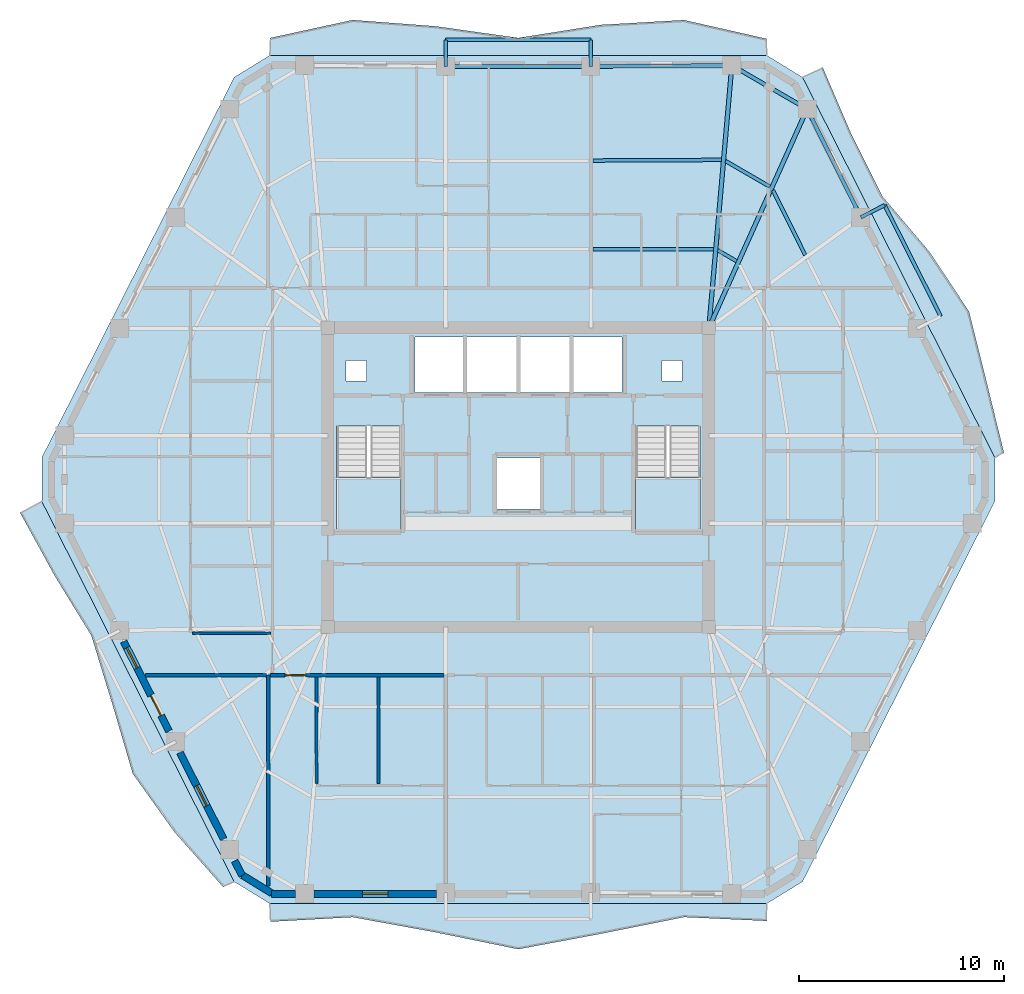
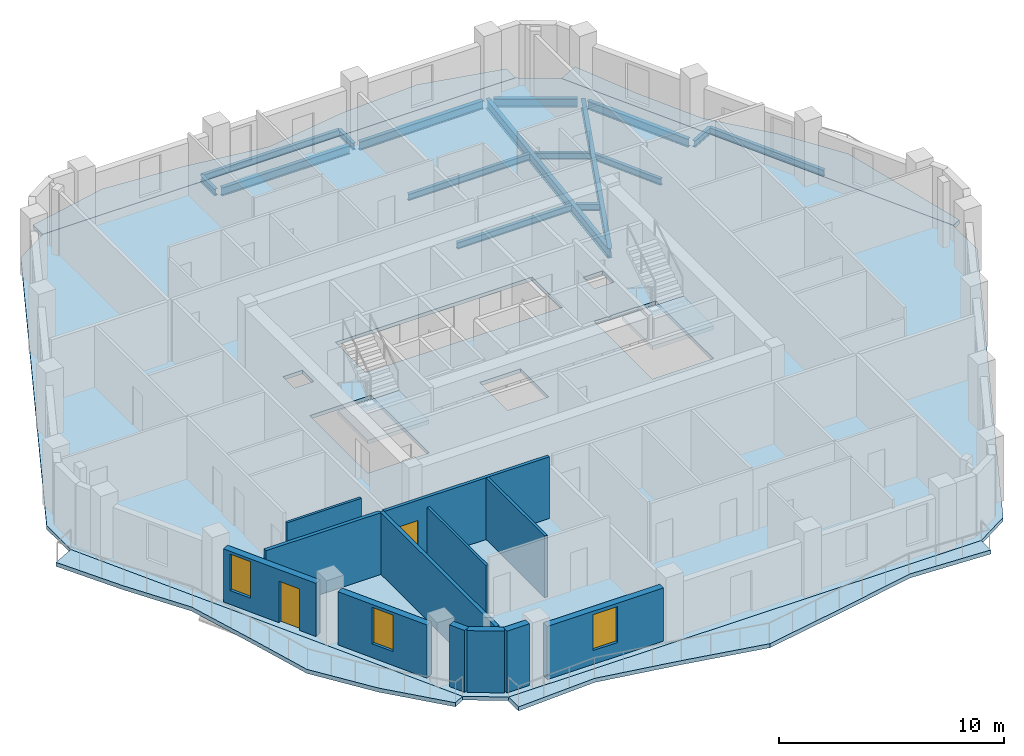
# One storey, part 3 of 11: 16 beams, 12 walls, 7 slabs, 3 windows, 2 doors, 5 openings, 2 elements without a shape of their own.
"""IFC4 building model written with IfcOpenShell, lengths in metres."""

from ifc_helpers import new_model, si_unit, direction, frame, frame_2d, origin, origin_2d, place, context, subcontext, project, spatial, polyline, rectangle, i_section, outline, extrude, material, layer, layer_set, material_profile, profile_set, type_object, element, fill, aggregate, save


model = new_model("IFC4")

# Units and contexts
model_context = context("Model", 3, precision=1e-05, world=origin(), true_north=direction((0.0, 1.0)))
body_context = subcontext(model_context, "Body", "Model", "MODEL_VIEW")
ifc_project = project(units=[si_unit("LENGTHUNIT", "METRE"), si_unit("AREAUNIT", "SQUARE_METRE"), si_unit("VOLUMEUNIT", "CUBIC_METRE"), si_unit("PLANEANGLEUNIT", "RADIAN"), si_unit("MASSUNIT", "GRAM", prefix="KILO")], contexts=[model_context])

# Site, building, storey
site_placement = place(None, origin())
site = spatial("IfcSite", under=ifc_project, at=site_placement, CompositionType="ELEMENT")
building_placement = place(site_placement, origin())
building = spatial("IfcBuilding", under=site, at=building_placement, Name="Cinnabar Lancet Tower", CompositionType="ELEMENT")
storey_placement = place(building_placement, frame((0.0, 0.0, 179.0)))
storey = spatial("IfcBuildingStorey", under=building, at=storey_placement, Name="L47", CompositionType="ELEMENT", Elevation=179.0)

# Beams
ifc_material_1 = material(Name="Structural steel S355", Category="steel")
ifc_material_profile_1 = material_profile(ifc_material_1, i_section(OverallWidth=0.17138671875, OverallDepth=0.35498046875, WebThickness=0.00732421875, FlangeThickness=0.011474609375, FilletRadius=0.01025390625, at=origin_2d()), Name="UKB 356x171x51")
ifc_profile_set_1 = profile_set([ifc_material_profile_1], Name="Structural steel S355")
beam_type_1 = type_object("IfcBeamType", Name="STR-BM-JST-356", PredefinedType="JOIST", material=ifc_profile_set_1)
beam_1_placement = place(storey_placement, frame((46.40087890625, 36.75, -0.376953125), z_axis=(-0.444780091128, 0.895639810714, 0.0), x_axis=(-0.895639810714, -0.444780091128, 0.0)))
element("IfcBeam", 1, at=beam_1_placement, inside=storey, type_object=beam_type_1, Name="L47 Secondary Floor Joist 29", PredefinedType="JOIST", context=body_context, shape_type="SweptSolid", body=[
    extrude(i_section(OverallWidth=0.17138671875, OverallDepth=0.35498046875, WebThickness=0.00732421875, FlangeThickness=0.011474609375, FilletRadius=0.01025390625, at=origin_2d()), origin(), (0.0, 0.0, 1.0), 3.533935546875),
])
beam_2_placement = place(storey_placement, frame((44.677978515625, 40.089111328125, -0.376953125), z_axis=(-0.865267839663, 0.501309849937, 0.0), x_axis=(-0.501309849937, -0.865267839663, 0.0)))
element("IfcBeam", 2, at=beam_2_placement, inside=storey, type_object=beam_type_1, Name="L47 Secondary Floor Joist 31", PredefinedType="JOIST", context=body_context, shape_type="SweptSolid", body=[
    extrude(i_section(OverallWidth=0.17138671875, OverallDepth=0.35498046875, WebThickness=0.00732421875, FlangeThickness=0.011474609375, FilletRadius=0.01025390625, at=origin_2d()), origin(), (0.0, 0.0, 1.0), 2.497314453125),
])
beam_3_placement = place(storey_placement, frame((43.047119140625, 36.45703125, -0.376953125), z_axis=(-0.8651881055, 0.501447446998, 0.0), x_axis=(-0.501447446998, -0.8651881055, 0.0)))
element("IfcBeam", 3, at=beam_3_placement, inside=storey, type_object=beam_type_1, Name="L47 Secondary Floor Joist 32", PredefinedType="JOIST", context=body_context, shape_type="SweptSolid", body=[
    extrude(i_section(OverallWidth=0.17138671875, OverallDepth=0.35498046875, WebThickness=0.00732421875, FlangeThickness=0.011474609375, FilletRadius=0.01025390625, at=origin_2d()), origin(), (0.0, 0.0, 1.0), 1.05322265625),
])
beam_4_placement = place(storey_placement, frame((42.31201171875, 41.39794921875, -0.376953125), z_axis=(-0.999986965561, -0.005105752523, 0.0), x_axis=(0.005105752523, -0.999986965561, 0.0)))
element("IfcBeam", 4, at=beam_4_placement, inside=storey, type_object=beam_type_1, Name="L47 Secondary Floor Joist 33", PredefinedType="JOIST", context=body_context, shape_type="SweptSolid", body=[
    extrude(i_section(OverallWidth=0.17138671875, OverallDepth=0.35498046875, WebThickness=0.00732421875, FlangeThickness=0.011474609375, FilletRadius=0.01025390625, at=origin_2d()), origin(), (0.0, 0.0, 1.0), 6.263916015625),
])
beam_5_placement = place(storey_placement, frame((41.930908203125, 37.04296875, -0.376953125), z_axis=(-0.999996795667, -0.002531532393, 0.0), x_axis=(0.002531532393, -0.999996795667, 0.0)))
element("IfcBeam", 5, at=beam_5_placement, inside=storey, type_object=beam_type_1, Name="L47 Secondary Floor Joist 34", PredefinedType="JOIST", context=body_context, shape_type="SweptSolid", body=[
    extrude(i_section(OverallWidth=0.17138671875, OverallDepth=0.35498046875, WebThickness=0.00732421875, FlangeThickness=0.011474609375, FilletRadius=0.01025390625, at=origin_2d()), origin(), (0.0, 0.0, 1.0), 5.8828125),
])
ifc_material_2 = material(Name="Structural steel S355", Category="steel")
ifc_material_profile_2 = material_profile(ifc_material_2, i_section(OverallWidth=0.1904296875, OverallDepth=0.45703125, WebThickness=0.009033203125, FlangeThickness=0.014404296875, FilletRadius=0.01025390625, at=origin_2d()), Name="UKB 457x191x74")
ifc_profile_set_2 = profile_set([ifc_material_profile_2], Name="Structural steel S355")
beam_type_2 = type_object("IfcBeamType", Name="STR-BM-SPN-457", PredefinedType="SPANDREL", material=ifc_profile_set_2)
beam_6_placement = place(storey_placement, frame((49.008056640625, 38.822998046875, -0.427978515625), z_axis=(-0.444932986899, 0.895563865489, 0.0), x_axis=(-0.895563865489, -0.444932986899, 0.0)))
element("IfcBeam", 6, at=beam_6_placement, inside=storey, type_object=beam_type_2, Name="L47 Perimeter Spandrel 11", PredefinedType="SPANDREL", context=body_context, shape_type="SweptSolid", body=[
    extrude(i_section(OverallWidth=0.1904296875, OverallDepth=0.45703125, WebThickness=0.009033203125, FlangeThickness=0.014404296875, FilletRadius=0.01025390625, at=origin_2d()), origin(), (0.0, 0.0, 1.0), 5.398681640625),
])
beam_7_placement = place(storey_placement, frame((46.279052734375, 44.007080078125, -0.427978515625), z_axis=(-0.865195717586, 0.501434313016, 0.0), x_axis=(-0.501434313016, -0.865195717586, 0.0)))
element("IfcBeam", 7, at=beam_7_placement, inside=storey, type_object=beam_type_2, Name="L47 Perimeter Spandrel 12", PredefinedType="SPANDREL", context=body_context, shape_type="SweptSolid", body=[
    extrude(i_section(OverallWidth=0.1904296875, OverallDepth=0.45703125, WebThickness=0.009033203125, FlangeThickness=0.014404296875, FilletRadius=0.01025390625, at=origin_2d()), origin(), (0.0, 0.0, 1.0), 3.7470703125),
])
beam_8_placement = place(storey_placement, frame((42.571044921875, 46.009033203125, -0.427978515625), z_axis=(-0.999970401924, -0.007693846685, 0.0), x_axis=(0.007693846685, -0.999970401924, 0.0)))
element("IfcBeam", 8, at=beam_8_placement, inside=storey, type_object=beam_type_2, Name="L47 Perimeter Spandrel 13", PredefinedType="SPANDREL", context=body_context, shape_type="SweptSolid", body=[
    extrude(i_section(OverallWidth=0.1904296875, OverallDepth=0.45703125, WebThickness=0.009033203125, FlangeThickness=0.014404296875, FilletRadius=0.01025390625, at=origin_2d()), origin(), (0.0, 0.0, 1.0), 6.378173828125),
])
beam_9_placement = place(storey_placement, frame((35.693115234375, 45.9580078125, -0.427978515625), z_axis=(-1.0, 0.0, 0.0), x_axis=(0.0, -1.0, 0.0)))
element("IfcBeam", 9, at=beam_9_placement, inside=storey, type_object=beam_type_2, Name="L47 Perimeter Spandrel 14", PredefinedType="SPANDREL", context=body_context, shape_type="SweptSolid", body=[
    extrude(i_section(OverallWidth=0.1904296875, OverallDepth=0.45703125, WebThickness=0.009033203125, FlangeThickness=0.014404296875, FilletRadius=0.01025390625, at=origin_2d()), origin(), (0.0, 0.0, 1.0), 6.586181640625),
])
ifc_material_3 = material(Name="Structural steel S355", Category="steel")
ifc_material_profile_3 = material_profile(ifc_material_3, i_section(OverallWidth=0.209228515625, OverallDepth=0.533203125, WebThickness=0.010009765625, FlangeThickness=0.015625, FilletRadius=0.0126953125, at=origin_2d()), Name="UKB 533x210x92")
ifc_profile_set_3 = profile_set([ifc_material_profile_3], Name="Structural steel S355")
beam_type_3 = type_object("IfcBeamType", Name="STR-BM-UKB533-92", PredefinedType="BEAM", material=ifc_profile_set_3)
beam_10_placement = place(storey_placement, frame((46.4951171875, 43.882080078125, -0.467041015625), z_axis=(-0.409527011626, -0.912297992297, 0.0), x_axis=(0.912297992297, -0.409527011626, 0.0)))
element("IfcBeam", 10, at=beam_10_placement, inside=storey, type_object=beam_type_3, Name="L47 Primary Floor Girder 12", PredefinedType="BEAM", context=body_context, shape_type="SweptSolid", body=[
    extrude(i_section(OverallWidth=0.209228515625, OverallDepth=0.533203125, WebThickness=0.010009765625, FlangeThickness=0.015625, FilletRadius=0.0126953125, at=origin_2d()), origin(), (0.0, 0.0, 1.0), 11.708984375),
])
beam_11_placement = place(storey_placement, frame((42.821044921875, 46.010986328125, -0.467041015625), z_axis=(-0.087176841412, -0.996192851973, 0.0), x_axis=(0.996192851973, -0.087176841412, 0.0)))
element("IfcBeam", 11, at=beam_11_placement, inside=storey, type_object=beam_type_3, Name="L47 Primary Floor Girder 13", PredefinedType="BEAM", context=body_context, shape_type="SweptSolid", body=[
    extrude(i_section(OverallWidth=0.209228515625, OverallDepth=0.533203125, WebThickness=0.010009765625, FlangeThickness=0.015625, FilletRadius=0.0126953125, at=origin_2d()), origin(), (0.0, 0.0, 1.0), 12.860107421875),
])
ifc_material_4 = material(Name="Structural steel S355", Category="steel")
ifc_material_profile_4 = material_profile(ifc_material_4, i_section(OverallWidth=0.17138671875, OverallDepth=0.35498046875, WebThickness=0.00732421875, FlangeThickness=0.011474609375, FilletRadius=0.01025390625, at=origin_2d()), Name="UKB 356x171x51")
ifc_profile_set_4 = profile_set([ifc_material_profile_4], Name="Structural steel S355")
beam_type_4 = type_object("IfcBeamType", Name="STR-BM-WAV-OUT", PredefinedType="BEAM", material=ifc_profile_set_4)
for number, where, z_axis, x_axis, name in (
    (12, (49.118896484375, 38.59912109375, -0.39794921875), (0.892314203325, 0.451414845285, 0.0), (-0.451414845285, 0.892314203325, 0.0), "L47 Face 3 Balcony Outlooker B"),
    (13, (35.943115234375, 45.9580078125, -0.39794921875), (0.0, 1.0, 0.0), (-1.0, 0.0, 0.0), "L47 Face 4 Balcony Outlooker A"),
    (14, (28.85693359375, 45.9580078125, -0.39794921875), (0.0, 1.0, 0.0), (-1.0, 0.0, 0.0), "L47 Face 4 Balcony Outlooker B"),
):
    element("IfcBeam", number, at=place(storey_placement, frame(where, z_axis=z_axis, x_axis=x_axis)), inside=storey, type_object=beam_type_4, Name=name, PredefinedType="BEAM", context=body_context, shape_type="SweptSolid", body=[
        extrude(i_section(OverallWidth=0.17138671875, OverallDepth=0.35498046875, WebThickness=0.00732421875, FlangeThickness=0.011474609375, FilletRadius=0.01025390625, at=origin_2d()), origin(), (0.0, 0.0, 1.0), 1.300048828125),
    ])
ifc_material_5 = material(Name="Structural steel S355", Category="steel")
ifc_material_profile_5 = material_profile(ifc_material_5, i_section(OverallWidth=0.17138671875, OverallDepth=0.35498046875, WebThickness=0.00732421875, FlangeThickness=0.011474609375, FilletRadius=0.01025390625, at=origin_2d()), Name="UKB 356x171x51")
ifc_profile_set_5 = profile_set([ifc_material_profile_5], Name="Structural steel S355")
beam_type_5 = type_object("IfcBeamType", Name="STR-BM-WAV-TRIM", PredefinedType="SPANDREL", material=ifc_profile_set_5)
beam_12_placement = place(storey_placement, frame((53.01806640625, 33.758056640625, -0.39794921875), z_axis=(-0.450503306898, 0.892774759093, 0.0), x_axis=(-0.892774759093, -0.450503306898, 0.0)))
element("IfcBeam", 15, at=beam_12_placement, inside=storey, type_object=beam_type_5, Name="L47 Face 3 Balcony Edge Trimmer", PredefinedType="SPANDREL", context=body_context, shape_type="SweptSolid", body=[
    extrude(i_section(OverallWidth=0.17138671875, OverallDepth=0.35498046875, WebThickness=0.00732421875, FlangeThickness=0.011474609375, FilletRadius=0.01025390625, at=origin_2d()), origin(), (0.0, 0.0, 1.0), 6.079833984375),
])
beam_13_placement = place(storey_placement, frame((35.943115234375, 47.258056640625, -0.39794921875), z_axis=(-1.0, 0.0, 0.0), x_axis=(0.0, -1.0, 0.0)))
element("IfcBeam", 16, at=beam_13_placement, inside=storey, type_object=beam_type_5, Name="L47 Face 4 Balcony Edge Trimmer", PredefinedType="SPANDREL", context=body_context, shape_type="SweptSolid", body=[
    extrude(i_section(OverallWidth=0.17138671875, OverallDepth=0.35498046875, WebThickness=0.00732421875, FlangeThickness=0.011474609375, FilletRadius=0.01025390625, at=origin_2d()), origin(), (0.0, 0.0, 1.0), 7.086181640625),
])

# Stair, slab
ifc_material_6 = material(Name="Concrete C40/50", Category="concrete")
stair_type = type_object("IfcStairType", Name="ST-CORE", PredefinedType="HALF_TURN_STAIR", material=ifc_material_6)
stair_1_placement = place(storey_placement, origin())
stair_1 = element("IfcStair", 17, at=stair_1_placement, inside=storey, type_object=stair_type, Name="L47 ST-1", PredefinedType="HALF_TURN_STAIR")
ifc_material_7 = material(Name="Concrete C40/50", Category="concrete")
ifc_layer_1 = layer(ifc_material_7, 0.199951171875)
ifc_layer_set_1 = layer_set([ifc_layer_1], Name="Concrete C40/50")
slab_type_1 = type_object("IfcSlabType", Name="LANDING-CORE", PredefinedType="LANDING", material=ifc_layer_set_1)
slab_1_placement = place(storey_placement, frame((0.0, 0.0, 1.574951171875)))
slab_1 = element("IfcSlab", 18, at=slab_1_placement, type_object=slab_type_1, Name="ST-1 landing 1", PredefinedType="LANDING", context=body_context, shape_type="SweptSolid", body=[
    extrude(outline(polyline([(23.52490234375, 25.925048828125), (23.52490234375, 23.25), (26.675048828125, 23.25), (26.675048828125, 25.925048828125), (23.52490234375, 25.925048828125)])), origin(), (0.0, 0.0, 1.0), 0.199951171875),
])
aggregate(stair_1, [slab_1])

stair_2_placement = place(storey_placement, origin())
stair_2 = element("IfcStair", 19, at=stair_2_placement, inside=storey, type_object=stair_type, Name="L47 ST-2", PredefinedType="HALF_TURN_STAIR")
slab_2_placement = place(storey_placement, frame((0.0, 0.0, 1.574951171875)))
slab_2 = element("IfcSlab", 20, at=slab_2_placement, type_object=slab_type_1, Name="ST-2 landing 1", PredefinedType="LANDING", context=body_context, shape_type="SweptSolid", body=[
    extrude(outline(polyline([(38.125, 25.925048828125), (38.125, 23.25), (41.27490234375, 23.25), (41.27490234375, 25.925048828125), (38.125, 25.925048828125)])), origin(), (0.0, 0.0, 1.0), 0.199951171875),
])
aggregate(stair_2, [slab_2])

# Slabs
ifc_material_8 = material(Name="Concrete C40/50", Category="concrete")
ifc_layer_2 = layer(ifc_material_8, 0.199951171875)
ifc_layer_set_2 = layer_set([ifc_layer_2], Name="Concrete C40/50")
slab_type_2 = type_object("IfcSlabType", Name="STR-SLB-FLR-200", PredefinedType="FLOOR", material=ifc_layer_set_2)
slab_3_placement = place(storey_placement, frame((0.0, 0.0, -0.199951171875)))
element("IfcSlab", 21, at=slab_3_placement, inside=storey, type_object=slab_type_2, Name="L47 Structural Floor Slab", PredefinedType="FLOOR", context=body_context, shape_type="SweptSolid", body=[
    extrude(outline(polyline([(18.530029296875, 6.1708984375), (20.27197265625, 5.10009765625), (44.528076171875, 5.10009765625), (46.27001953125, 6.1708984375), (55.657958984375, 24.72900390625), (55.657958984375, 26.87109375), (46.27001953125, 45.428955078125), (44.528076171875, 46.5), (20.27197265625, 46.5), (18.530029296875, 45.428955078125), (9.14208984375, 26.87109375), (9.14208984375, 24.72900390625), (18.530029296875, 6.1708984375)]), holes=[polyline([(23.52490234375, 23.25), (26.675048828125, 23.25), (26.675048828125, 28.3994140625), (23.52490234375, 28.3994140625), (23.52490234375, 23.25)]), polyline([(38.125, 23.25), (41.27490234375, 23.25), (41.27490234375, 28.3994140625), (38.125, 28.3994140625), (38.125, 23.25)]), polyline([(27.35009765625, 30.050048828125), (37.449951171875, 30.050048828125), (37.449951171875, 32.75), (27.35009765625, 32.75), (27.35009765625, 30.050048828125)]), polyline([(31.35009765625, 24.35009765625), (33.449951171875, 24.35009765625), (33.449951171875, 26.85009765625), (31.35009765625, 26.85009765625), (31.35009765625, 24.35009765625)]), polyline([(24.0, 30.60009765625), (25.0, 30.60009765625), (25.0, 31.60009765625), (24.0, 31.60009765625), (24.0, 30.60009765625)]), polyline([(39.39990234375, 30.60009765625), (40.39990234375, 30.60009765625), (40.39990234375, 31.60009765625), (39.39990234375, 31.60009765625), (39.39990234375, 30.60009765625)])]), origin(), (0.0, 0.0, 1.0), 0.199951171875),
])
ifc_material_9 = material(Name="Concrete C45/55", Category="concrete")
ifc_layer_3 = layer(ifc_material_9, 0.219970703125)
ifc_layer_set_3 = layer_set([ifc_layer_3], Name="Concrete C45/55")
slab_type_3 = type_object("IfcSlabType", Name="STR-SLB-WAV-220", PredefinedType="FLOOR", material=ifc_layer_set_3)
slab_4_placement = place(storey_placement, frame((0.0, 0.0, -0.219970703125)))
element("IfcSlab", 22, at=slab_4_placement, inside=storey, type_object=slab_type_3, Name="L47 Face 1 Undulating Wave Balcony Slab", PredefinedType="FLOOR", context=body_context, shape_type="SweptSolid", body=[
    extrude(outline(polyline([(20.27197265625, 5.10009765625), (20.27197265625, 4.214111328125), (24.31494140625, 4.43896484375), (28.35693359375, 3.699951171875), (32.39990234375, 2.8740234375), (36.443115234375, 3.6298828125), (40.485107421875, 4.44091796875), (44.528076171875, 4.2548828125), (44.528076171875, 5.10009765625), (20.27197265625, 5.10009765625)])), origin(), (0.0, 0.0, 1.0), 0.219970703125),
])
slab_5_placement = place(storey_placement, frame((0.0, 0.0, -0.219970703125)))
element("IfcSlab", 23, at=slab_5_placement, inside=storey, type_object=slab_type_3, Name="L47 Face 3 Undulating Wave Balcony Slab", PredefinedType="FLOOR", context=body_context, shape_type="SweptSolid", body=[
    extrude(outline(polyline([(55.657958984375, 26.87109375), (56.10400390625, 27.096923828125), (55.256103515625, 30.552001953125), (54.39599609375, 34.001953125), (52.465087890625, 36.908935546875), (50.162109375, 39.62890625), (48.618896484375, 42.73291015625), (47.2509765625, 45.925048828125), (46.27001953125, 45.428955078125), (55.657958984375, 26.87109375)])), origin(), (0.0, 0.0, 1.0), 0.219970703125),
])
slab_6_placement = place(storey_placement, frame((0.0, 0.0, -0.219970703125)))
element("IfcSlab", 24, at=slab_6_placement, inside=storey, type_object=slab_type_3, Name="L47 Face 4 Undulating Wave Balcony Slab", PredefinedType="FLOOR", context=body_context, shape_type="SweptSolid", body=[
    extrude(outline(polyline([(44.528076171875, 46.5), (44.528076171875, 47.306884765625), (40.485107421875, 48.22412109375), (36.443115234375, 47.991943359375), (32.39990234375, 47.35107421875), (28.35693359375, 47.922119140625), (24.31494140625, 48.22607421875), (20.27197265625, 47.347900390625), (20.27197265625, 46.5), (44.528076171875, 46.5)])), origin(), (0.0, 0.0, 1.0), 0.219970703125),
])
slab_7_placement = place(storey_placement, frame((0.0, 0.0, -0.219970703125)))
element("IfcSlab", 25, at=slab_7_placement, inside=storey, type_object=slab_type_3, Name="L47 Face 6 Undulating Wave Balcony Slab", PredefinedType="FLOOR", context=body_context, shape_type="SweptSolid", body=[
    extrude(outline(polyline([(9.14208984375, 24.72900390625), (8.077880859375, 24.19091796875), (9.740966796875, 21.14794921875), (11.55908203125, 18.181884765625), (12.591064453125, 14.820068359375), (13.5830078125, 11.43701171875), (15.62109375, 8.583984375), (18.0009765625, 5.903076171875), (18.530029296875, 6.1708984375), (9.14208984375, 24.72900390625)])), origin(), (0.0, 0.0, 1.0), 0.219970703125),
])

# Wall, opening, door
ifc_material_10 = material(Name="Acoustic twin-stud gypsum partition", Category="gypsum")
ifc_layer_4 = layer(ifc_material_10, 0.159912109375)
ifc_layer_set_4 = layer_set([ifc_layer_4], Name="Acoustic twin-stud gypsum partition")
wall_type_1 = type_object("IfcWallType", Name="ARC-WL-CORR-160", PredefinedType="PARTITIONING", material=ifc_layer_set_4)
wall_1_placement = place(storey_placement, frame((20.294921875, 16.25, 0.0), z_axis=(0.0, 0.0, 1.0), x_axis=(1.0, 0.0, 0.0)))
wall_1 = element("IfcWall", 26, at=wall_1_placement, inside=storey, type_object=wall_type_1, Name="L47 Unit S01 Corridor Wall", PredefinedType="PARTITIONING", context=body_context, shape_type="SweptSolid", body=[
    extrude(rectangle(XDim=8.467041015625, YDim=0.159912109375, at=frame_2d((4.2333984375, 0.0))), origin(), (0.0, 0.0, 1.0), 3.35009765625),
])
opening_1_placement = place(wall_1_placement, frame((0.705078125, 0.0, 0.0)))
opening_1 = element("IfcOpeningElement", 27, at=opening_1_placement, cuts=wall_1, Name="Opening UD-01", PredefinedType="OPENING", context=body_context, shape_type="SweptSolid", body=[
    extrude(rectangle(XDim=1.02001953125, YDim=2.25, at=frame_2d((0.510009765625, 1.125))), frame((0.0, 0.08984375, 0.0), z_axis=(0.0, -1.0, 0.0), x_axis=(1.0, 0.0, 0.0)), (0.0, 0.0, 1.0), 0.179931640625),
])
ifc_material_11 = material(Name="Solid timber fire-rated apartment entrance door", Category="wood")
door_type_1 = type_object("IfcDoorType", Name="ARC-DR-UNIT", OperationType="NOTDEFINED", PredefinedType="DOOR", material=ifc_material_11)
door_1_placement = place(opening_1_placement, origin())
door_1 = element("IfcDoor", 28, at=door_1_placement, inside=storey, type_object=door_type_1, Name="DR-L47-S01-ENT", OperationType="SINGLE_SWING_RIGHT", OverallHeight=2.25, OverallWidth=1.02001953125, PredefinedType="DOOR", context=body_context, shape_type="SweptSolid", body=[
    extrude(rectangle(XDim=1.02001953125, YDim=2.25, at=frame_2d((0.510009765625, 1.125))), frame((0.0, 0.02490234375, 0.0), z_axis=(0.0, -1.0, 0.0), x_axis=(1.0, 0.0, 0.0)), (0.0, 0.0, 1.0), 0.050048828125),
])
fill(opening_1, door_1)

# Walls
ifc_material_12 = material(Name="Fire-rated twin-frame acoustic drywall", Category="gypsum")
ifc_layer_5 = layer(ifc_material_12, 0.179931640625)
ifc_layer_set_5 = layer_set([ifc_layer_5], Name="Fire-rated twin-frame acoustic drywall")
wall_type_2 = type_object("IfcWallType", Name="ARC-WL-PARTY-180", PredefinedType="PARTITIONING", material=ifc_layer_set_5)
wall_2_placement = place(storey_placement, frame((20.199951171875, 5.968017578125, 0.0), z_axis=(0.0, 0.0, 1.0), x_axis=(0.0, 1.0, 0.0)))
element("IfcWall", 29, at=wall_2_placement, inside=storey, type_object=wall_type_2, Name="PW-L47-SPTY-202", PredefinedType="PARTITIONING", context=body_context, shape_type="SweptSolid", body=[
    extrude(rectangle(XDim=10.281982421875, YDim=0.179931640625, at=frame_2d((5.14111328125, 0.0))), origin(), (0.0, 0.0, 1.0), 3.35009765625),
])
wall_3_placement = place(storey_placement, frame((14.2109375, 16.25, 0.0), z_axis=(0.0, 0.0, 1.0), x_axis=(1.0, 0.0, 0.0)))
element("IfcWall", 30, at=wall_3_placement, inside=storey, type_object=wall_type_2, Name="PW-L47-WSB", PredefinedType="PARTITIONING", context=body_context, shape_type="SweptSolid", body=[
    extrude(rectangle(XDim=5.89404296875, YDim=0.179931640625, at=frame_2d((2.947021484375, 0.0))), origin(), (0.0, 0.0, 1.0), 3.35009765625),
])
ifc_material_13 = material(Name="Gypsum plasterboard stud partition", Category="gypsum")
ifc_layer_6 = layer(ifc_material_13, 0.125)
ifc_layer_set_6 = layer_set([ifc_layer_6], Name="Gypsum plasterboard stud partition")
wall_type_3 = type_object("IfcWallType", Name="ARC-WL-UNIT-125", PredefinedType="PARTITIONING", material=ifc_layer_set_6)
wall_4_placement = place(storey_placement, frame((22.550048828125, 10.9609375, 0.0), z_axis=(0.0, 0.0, 1.0), x_axis=(0.0, 1.0, 0.0)))
element("IfcWall", 31, at=wall_4_placement, inside=storey, type_object=wall_type_3, Name="UW-L47-S01-FOYE", PredefinedType="PARTITIONING", context=body_context, shape_type="SweptSolid", body=[
    extrude(rectangle(XDim=5.2041015625, YDim=0.125, at=frame_2d((2.60205078125, 0.0))), origin(), (0.0, 0.0, 1.0), 2.806884765625),
])
wall_5_placement = place(storey_placement, frame((16.485107421875, 18.300048828125, 0.0), z_axis=(0.0, 0.0, 1.0), x_axis=(1.0, 0.0, 0.0)))
element("IfcWall", 32, at=wall_5_placement, inside=storey, type_object=wall_type_3, Name="UW-L47-W01-FOYN", PredefinedType="PARTITIONING", context=body_context, shape_type="SweptSolid", body=[
    extrude(rectangle(XDim=3.829833984375, YDim=0.125, at=frame_2d((1.9150390625, 0.0))), origin(), (0.0, 0.0, 1.0), 2.806884765625),
])
ifc_material_14 = material(Name="Moisture-resistant cement-board plumbing wall", Category="masonry")
ifc_layer_7 = layer(ifc_material_14, 0.139892578125)
ifc_layer_set_7 = layer_set([ifc_layer_7], Name="Moisture-resistant cement-board plumbing wall")
wall_type_4 = type_object("IfcWallType", Name="ARC-WL-WET-140", PredefinedType="PLUMBINGWALL", material=ifc_layer_set_7)
wall_6_placement = place(storey_placement, frame((25.576904296875, 10.9609375, 0.0), z_axis=(0.0, 0.0, 1.0), x_axis=(0.0, 1.0, 0.0)))
element("IfcWall", 33, at=wall_6_placement, inside=storey, type_object=wall_type_4, Name="UW-L47-S01-KDV", PredefinedType="PLUMBINGWALL", context=body_context, shape_type="SweptSolid", body=[
    extrude(rectangle(XDim=5.2041015625, YDim=0.139892578125, at=frame_2d((2.60205078125, 0.0))), origin(), (0.0, 0.0, 1.0), 3.35009765625),
])
ifc_material_15 = material(Name="Cinnabar red clay brick", Category="masonry")
ifc_layer_8 = layer(ifc_material_15, 0.340087890625)
ifc_layer_set_8 = layer_set([ifc_layer_8], Name="Cinnabar red clay brick")
wall_type_5 = type_object("IfcWallType", Name="ENV-WL-BRK-RED-340", PredefinedType="STANDARD", material=ifc_layer_set_8)
wall_7_placement = place(storey_placement, frame((18.93798828125, 6.48388671875, 0.0), z_axis=(0.0, 0.0, 1.0), x_axis=(0.851778214877, -0.523902541185, 0.0)))
element("IfcWall", 34, at=wall_7_placement, inside=storey, type_object=wall_type_5, Name="L47 Chamfered Corner Brick Pier 1.1", PredefinedType="STANDARD", context=body_context, shape_type="SweptSolid", body=[
    extrude(rectangle(XDim=1.677734375, YDim=0.340087890625, at=frame_2d((0.8388671875, 0.0))), origin(), (0.0, 0.0, 1.0), 3.35009765625),
])
wall_8_placement = place(storey_placement, frame((20.362060546875, 5.580078125, 0.0), z_axis=(0.0, 0.0, 1.0), x_axis=(1.0, 0.0, 0.0)))
element("IfcWall", 35, at=wall_8_placement, inside=storey, type_object=wall_type_5, Name="L47 Face 1 Masonry Bay Wall 1", PredefinedType="STANDARD", context=body_context, shape_type="SweptSolid", body=[
    extrude(rectangle(XDim=1.162841796875, YDim=0.340087890625, at=frame_2d((0.58154296875, 0.0))), origin(), (0.0, 0.0, 1.0), 3.35009765625),
])

# Wall, opening, window
wall_9_placement = place(storey_placement, frame((22.43310546875, 5.580078125, 0.0), z_axis=(0.0, 0.0, 1.0), x_axis=(1.0, 0.0, 0.0)))
wall_9 = element("IfcWall", 36, at=wall_9_placement, inside=storey, type_object=wall_type_5, Name="L47 Face 1 Masonry Bay Wall 2", PredefinedType="STANDARD", context=body_context, shape_type="SweptSolid", body=[
    extrude(rectangle(XDim=5.969970703125, YDim=0.340087890625, at=frame_2d((2.98486328125, 0.0))), origin(), (0.0, 0.0, 1.0), 2.883056640625),
])
opening_2_placement = place(wall_9_placement, frame((2.360107421875, 0.0, 0.75)))
opening_2 = element("IfcOpeningElement", 37, at=opening_2_placement, cuts=wall_9, Name="Opening WN-03", PredefinedType="OPENING", context=body_context, shape_type="SweptSolid", body=[
    extrude(rectangle(XDim=1.25, YDim=1.949951171875, at=frame_2d((0.625, 0.97509765625))), frame((0.0, 0.179931640625, 0.0), z_axis=(0.0, -1.0, 0.0), x_axis=(1.0, 0.0, 0.0)), (0.0, 0.0, 1.0), 0.360107421875),
])
ifc_material_16 = material(Name="Thermally broken bronze-anodized aluminium low-E double glazing", Category="aluminium")
window_type_1 = type_object("IfcWindowType", Name="ENV-WN-LANCET-1250", PartitioningType="SINGLE_PANEL", PredefinedType="WINDOW", material=ifc_material_16)
window_1_placement = place(opening_2_placement, origin())
window_1 = element("IfcWindow", 38, at=window_1_placement, inside=storey, type_object=window_type_1, Name="L47 Face 1 Gothic Lancet Window 2", OverallHeight=1.949951171875, OverallWidth=1.25, PartitioningType="SINGLE_PANEL", PredefinedType="WINDOW", context=body_context, shape_type="SweptSolid", body=[
    extrude(rectangle(XDim=1.25, YDim=1.949951171875, at=frame_2d((0.625, 0.97509765625))), frame((0.0, 0.030029296875, 0.0), z_axis=(0.0, -1.0, 0.0), x_axis=(1.0, 0.0, 0.0)), (0.0, 0.0, 1.0), 0.06005859375),
])
fill(opening_2, window_1)

# Wall, openings, door, window
wall_10_placement = place(storey_placement, frame((13.135009765625, 17.89794921875, 0.0), z_axis=(0.0, 0.0, 1.0), x_axis=(0.451544279509, -0.892248711763, 0.0)))
wall_10 = element("IfcWall", 39, at=wall_10_placement, inside=storey, type_object=wall_type_5, Name="L47 Face 6 Masonry Bay Wall 3", PredefinedType="STANDARD", context=body_context, shape_type="SweptSolid", body=[
    extrude(rectangle(XDim=4.909912109375, YDim=0.340087890625, at=frame_2d((2.455078125, 0.0))), origin(), (0.0, 0.0, 1.0), 2.883056640625),
])
opening_3_placement = place(wall_10_placement, frame((2.9541015625, 0.0, 0.0)))
opening_3 = element("IfcOpeningElement", 40, at=opening_3_placement, cuts=wall_10, Name="Opening TD-01", PredefinedType="OPENING", context=body_context, shape_type="SweptSolid", body=[
    extrude(rectangle(XDim=1.10009765625, YDim=2.25, at=frame_2d((0.550048828125, 1.125))), frame((0.0, 0.179931640625, 0.0), z_axis=(0.0, -1.0, 0.0), x_axis=(1.0, 0.0, 0.0)), (0.0, 0.0, 1.0), 0.360107421875),
])
opening_4_placement = place(wall_10_placement, frame((0.35302734375, 0.0, 0.75)))
opening_4 = element("IfcOpeningElement", 41, at=opening_4_placement, cuts=wall_10, Name="Opening WN-04", PredefinedType="OPENING", context=body_context, shape_type="SweptSolid", body=[
    extrude(rectangle(XDim=1.10009765625, YDim=1.98291015625, at=frame_2d((0.550048828125, 0.991455078125))), frame((0.0, 0.179931640625, 0.0), z_axis=(0.0, -1.0, 0.0), x_axis=(1.0, 0.0, 0.0)), (0.0, 0.0, 1.0), 0.360107421875),
])
ifc_material_17 = material(Name="Thermally broken low-E glazed balcony terrace door", Category="wood")
door_type_2 = type_object("IfcDoorType", Name="ARC-DR-BALC", OperationType="NOTDEFINED", PredefinedType="DOOR", material=ifc_material_17)
door_2_placement = place(opening_3_placement, origin())
door_2 = element("IfcDoor", 42, at=door_2_placement, inside=storey, type_object=door_type_2, Name="L47 Face 6 Glazed Terrace Door", OperationType="SINGLE_SWING_LEFT", OverallHeight=2.25, OverallWidth=1.10009765625, PredefinedType="DOOR", context=body_context, shape_type="SweptSolid", body=[
    extrude(rectangle(XDim=1.10009765625, YDim=2.25, at=frame_2d((0.550048828125, 1.125))), frame((0.0, 0.02490234375, 0.0), z_axis=(0.0, -1.0, 0.0), x_axis=(1.0, 0.0, 0.0)), (0.0, 0.0, 1.0), 0.050048828125),
])
fill(opening_3, door_2)
ifc_material_18 = material(Name="Thermally broken bronze-anodized aluminium tall lancet window", Category="aluminium")
window_type_2 = type_object("IfcWindowType", Name="ENV-WN-LANCET-1100", PartitioningType="SINGLE_PANEL", PredefinedType="WINDOW", material=ifc_material_18)
window_2_placement = place(opening_4_placement, origin())
window_2 = element("IfcWindow", 43, at=window_2_placement, inside=storey, type_object=window_type_2, Name="L47 Split-Bay Gothic Lancet Window 146", OverallHeight=1.98291015625, OverallWidth=1.10009765625, PartitioningType="SINGLE_PANEL", PredefinedType="WINDOW", context=body_context, shape_type="SweptSolid", body=[
    extrude(rectangle(XDim=1.10009765625, YDim=1.98291015625, at=frame_2d((0.550048828125, 0.991455078125))), frame((0.0, 0.030029296875, 0.0), z_axis=(0.0, -1.0, 0.0), x_axis=(1.0, 0.0, 0.0)), (0.0, 0.0, 1.0), 0.06005859375),
])
fill(opening_4, window_2)

# Wall, opening, window
wall_11_placement = place(storey_placement, frame((15.881103515625, 12.469970703125, 0.0), z_axis=(0.0, 0.0, 1.0), x_axis=(0.451522864045, -0.892259549259, 0.0)))
wall_11 = element("IfcWall", 44, at=wall_11_placement, inside=storey, type_object=wall_type_5, Name="L47 Face 6 Masonry Bay Wall 4", PredefinedType="STANDARD", context=body_context, shape_type="SweptSolid", body=[
    extrude(rectangle(XDim=4.730712890625, YDim=0.340087890625, at=frame_2d((2.365234375, 0.0))), origin(), (0.0, 0.0, 1.0), 2.883056640625),
])
opening_5_placement = place(wall_11_placement, frame((1.81494140625, 0.0, 0.75)))
opening_5 = element("IfcOpeningElement", 45, at=opening_5_placement, cuts=wall_11, Name="Opening WN-04", PredefinedType="OPENING", context=body_context, shape_type="SweptSolid", body=[
    extrude(rectangle(XDim=1.10009765625, YDim=1.98291015625, at=frame_2d((0.550048828125, 0.991455078125))), frame((0.0, 0.179931640625, 0.0), z_axis=(0.0, -1.0, 0.0), x_axis=(1.0, 0.0, 0.0)), (0.0, 0.0, 1.0), 0.360107421875),
])
window_3_placement = place(opening_5_placement, origin())
window_3 = element("IfcWindow", 46, at=window_3_placement, inside=storey, type_object=window_type_2, Name="L47 Face 6 Gothic Lancet Window 4", OverallHeight=1.98291015625, OverallWidth=1.10009765625, PartitioningType="SINGLE_PANEL", PredefinedType="WINDOW", context=body_context, shape_type="SweptSolid", body=[
    extrude(rectangle(XDim=1.10009765625, YDim=1.98291015625, at=frame_2d((0.550048828125, 0.991455078125))), frame((0.0, 0.030029296875, 0.0), z_axis=(0.0, -1.0, 0.0), x_axis=(1.0, 0.0, 0.0)), (0.0, 0.0, 1.0), 0.06005859375),
])
fill(opening_5, window_3)

# Wall
wall_12_placement = place(storey_placement, frame((18.553955078125, 7.18701171875, 0.0), z_axis=(0.0, 0.0, 1.0), x_axis=(0.451691568309, -0.892174157392, 0.0)))
element("IfcWall", 47, at=wall_12_placement, inside=storey, type_object=wall_type_5, Name="L47 Face 6 Masonry Bay Wall 5", PredefinedType="STANDARD", context=body_context, shape_type="SweptSolid", body=[
    extrude(rectangle(XDim=0.805908203125, YDim=0.340087890625, at=frame_2d((0.40283203125, 0.0))), origin(), (0.0, 0.0, 1.0), 3.35009765625),
])

save(model, "model.ifc")
